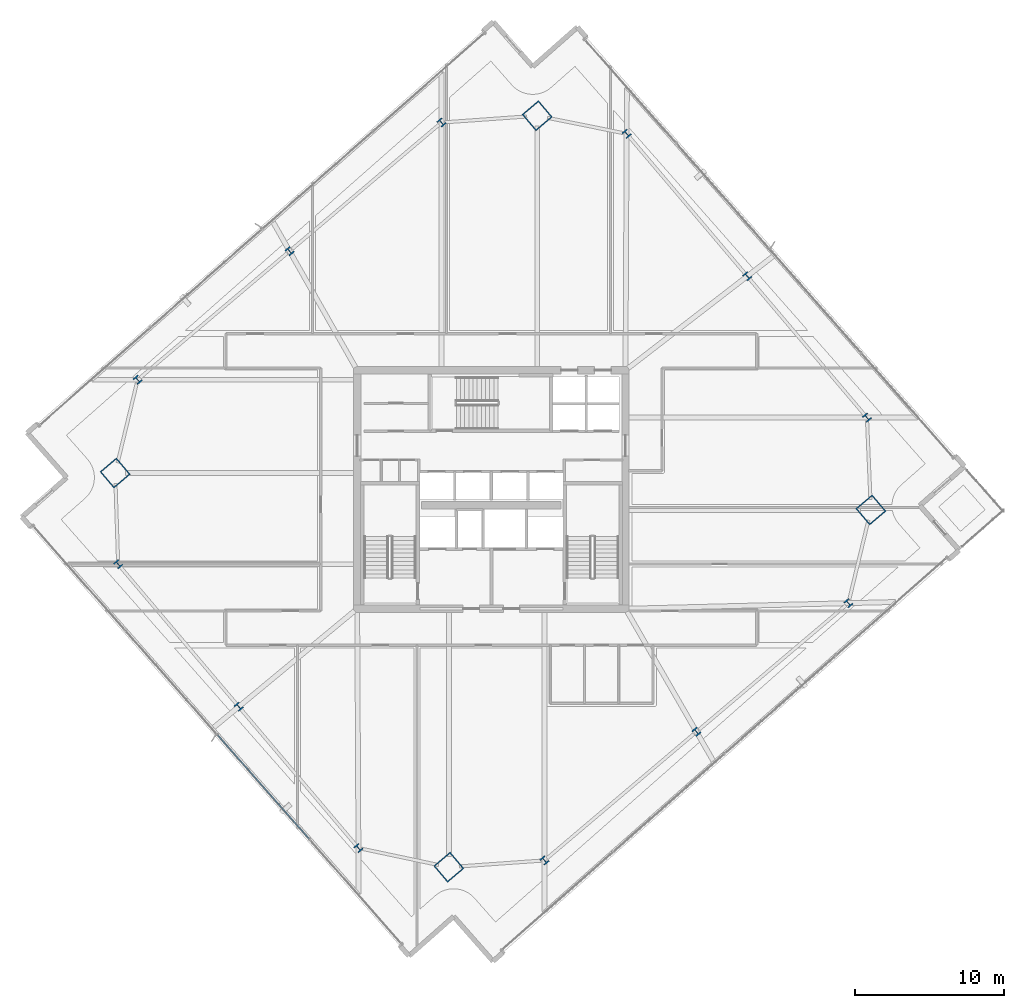
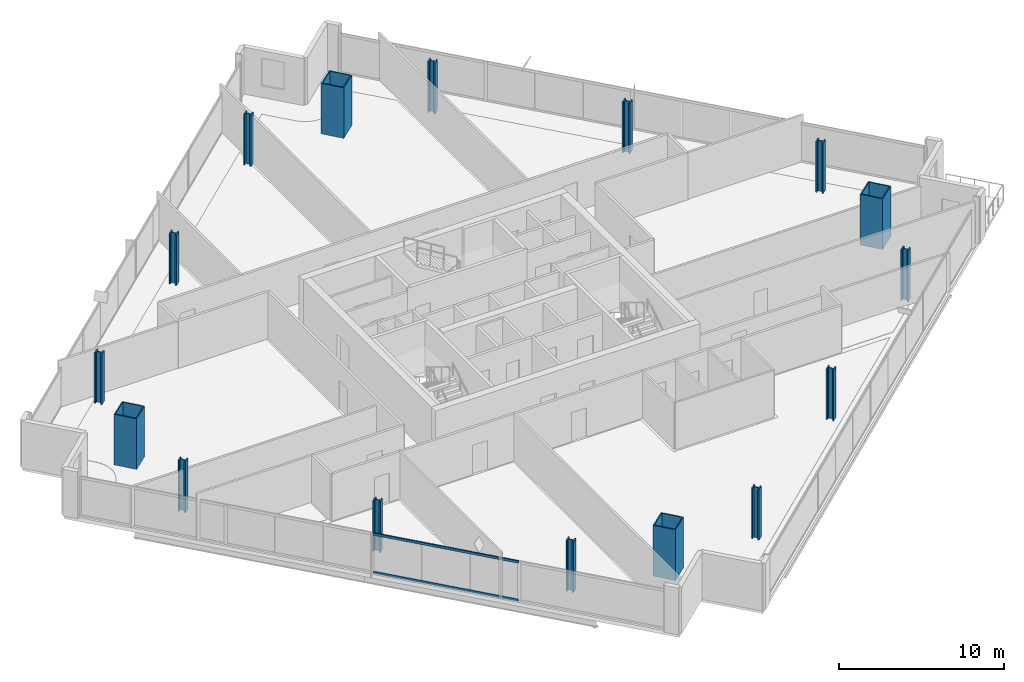
# One storey, part 1 of 34: 16 columns, 2 members, 1 element without a shape of its own.
"""IFC4 building model written with IfcOpenShell, lengths in metres."""

from ifc_helpers import new_model, si_unit, direction, frame, origin, origin_2d, place, context, subcontext, project, spatial, hollow_rectangle, i_section, extrude, material, material_profile, profile_set, type_object, element, aggregate, save


model = new_model("IFC4")

# Units and contexts
model_context = context("Model", 3, precision=1e-05, world=origin(), true_north=direction((0.0, 1.0)))
body_context = subcontext(model_context, "Body", "Model", "MODEL_VIEW")
ifc_project = project(units=[si_unit("LENGTHUNIT", "METRE"), si_unit("AREAUNIT", "SQUARE_METRE"), si_unit("VOLUMEUNIT", "CUBIC_METRE"), si_unit("PLANEANGLEUNIT", "RADIAN"), si_unit("MASSUNIT", "GRAM", prefix="KILO")], contexts=[model_context])

# Site, building, storey
site_placement = place(None, origin())
site = spatial("IfcSite", under=ifc_project, at=site_placement, CompositionType="ELEMENT")
building_placement = place(site_placement, origin())
building = spatial("IfcBuilding", under=site, at=building_placement, Name="Haldenkirk Collegiate Tower", CompositionType="ELEMENT")
storey_placement = place(building_placement, frame((0.0, 0.0, 166.949951171875)))
storey = spatial("IfcBuildingStorey", under=building, at=storey_placement, Name="L41", CompositionType="ELEMENT", Elevation=166.949951171875)

# Columns
ifc_material_1 = material(Name="Steel ASTM A913 Grade 65", Category="steel")
ifc_material_profile_1 = material_profile(ifc_material_1, i_section(OverallWidth=0.431884765625, OverallDepth=0.498046875, WebThickness=0.0556640625, FlangeThickness=0.0888671875, at=origin_2d()), Name="W14X500")
ifc_profile_set_1 = profile_set([ifc_material_profile_1], Name="Steel ASTM A913 Grade 65")
column_type_1 = type_object("IfcColumnType", Name="COL-INT-W14X500", PredefinedType="COLUMN", material=ifc_profile_set_1)
for number, where, z_axis, x_axis, name in (
    (1, (39.568603515625, 1.113525390625, 0.0), (0.0, 0.0, 1.0), (0.763232469783, 0.646123979643, 0.0), "L41 perimeter gravity column PC-S1"),
    (2, (49.762451171875, 9.7431640625, 0.0), (0.0, 0.0, 1.0), (0.763232469783, 0.646123979643, 0.0), "L41 perimeter gravity column PC-S2"),
    (3, (59.956298828125, 18.372802734375, 0.0), (0.0, 0.0, 1.0), (0.763232469783, 0.646123979643, 0.0), "L41 perimeter gravity column PC-S3"),
    (4, (61.199462890625, 30.82421875, 0.0), (0.0, 0.0, 1.0), (0.763232469783, 0.646123979643, 0.0), "L41 perimeter gravity column PC-E1"),
    (5, (53.17138671875, 40.307373046875, 0.0), (0.0, 0.0, 1.0), (0.763232469783, 0.646123979643, 0.0), "L41 perimeter gravity column PC-E2"),
    (6, (45.079833984375, 49.865234375, 0.0), (0.0, 0.0, 1.0), (0.763232469783, 0.646123979643, 0.0), "L41 perimeter gravity column PC-E3"),
    (7, (32.657470703125, 50.619384765625, 0.0), (0.0, 0.0, 1.0), (0.763232469783, 0.646123979643, 0.0), "L41 perimeter gravity column PC-N1"),
    (8, (22.463623046875, 41.98974609375, 0.0), (0.0, 0.0, 1.0), (0.763232469783, 0.646123979643, 0.0), "L41 perimeter gravity column PC-N2"),
    (9, (12.27001953125, 33.360107421875, 0.0), (0.0, 0.0, 1.0), (0.763232469783, 0.646123979643, 0.0), "L41 perimeter gravity column PC-N3"),
    (10, (10.96337890625, 20.9833984375, 0.0), (0.0, 0.0, 1.0), (0.763232469783, 0.646123979643, 0.0), "L41 perimeter gravity column PC-W1"),
    (11, (19.0546875, 11.425537109375, 0.0), (0.0, 0.0, 1.0), (0.763232469783, 0.646123979643, 0.0), "L41 perimeter gravity column PC-W2"),
    (12, (27.0830078125, 1.9423828125, 0.0), (0.0, 0.0, 1.0), (0.763232469783, 0.646123979643, 0.0), "L41 perimeter gravity column PC-W3"),
):
    element("IfcColumn", number, at=place(storey_placement, frame(where, z_axis=z_axis, x_axis=x_axis)), inside=storey, type_object=column_type_1, Name=name, PredefinedType="COLUMN", context=body_context, shape_type="SweptSolid", body=[
        extrude(i_section(OverallWidth=0.431884765625, OverallDepth=0.498046875, WebThickness=0.0556640625, FlangeThickness=0.0888671875, at=origin_2d()), origin(), (0.0, 0.0, 1.0), 3.75),
    ])
ifc_material_2 = material(Name="Steel ASTM A572 Grade 50", Category="steel")
ifc_material_profile_2 = material_profile(ifc_material_2, hollow_rectangle(XDim=1.449951171875, YDim=1.449951171875, WallThickness=0.070068359375, at=origin_2d()), Name="BOX1450X1450X70")
ifc_profile_set_2 = profile_set([ifc_material_profile_2], Name="Steel ASTM A572 Grade 50")
column_type_2 = type_object("IfcColumnType", Name="COL-MEGA-BOX1450X1450X70", PredefinedType="COLUMN", material=ifc_profile_set_2)
for number, where, z_axis, x_axis, name in (
    (13, (33.149169921875, 0.65771484375, 0.0), (0.0, 0.0, 1.0), (0.763232469783, 0.646123979643, 0.0), "L41 corner mega-column MC1"),
    (14, (61.465087890625, 24.62890625, 0.0), (0.0, 0.0, 1.0), (0.763232469783, 0.646123979643, 0.0), "L41 corner mega-column MC2"),
    (15, (39.076904296875, 51.074951171875, 0.0), (0.0, 0.0, 1.0), (0.763232469783, 0.646123979643, 0.0), "L41 corner mega-column MC3"),
    (16, (10.760986328125, 27.103759765625, 0.0), (0.0, 0.0, 1.0), (0.763232469783, 0.646123979643, 0.0), "L41 corner mega-column MC4"),
):
    element("IfcColumn", number, at=place(storey_placement, frame(where, z_axis=z_axis, x_axis=x_axis)), inside=storey, type_object=column_type_2, Name=name, PredefinedType="COLUMN", context=body_context, shape_type="SweptSolid", body=[
        extrude(hollow_rectangle(XDim=1.449951171875, YDim=1.449951171875, WallThickness=0.070068359375, at=origin_2d()), origin(), (0.0, 0.0, 1.0), 3.75),
    ])

# Curtain wall, members
ifc_material_3 = material(Name="Anodised architectural bronze aluminium", Category="aluminium")
curtain_wall_type = type_object("IfcCurtainWallType", Name="CW-SYS1-CONVEX-LOW", PredefinedType="USERDEFINED", material=ifc_material_3)
curtain_wall_placement = place(storey_placement, origin())
curtain_wall = element("IfcCurtainWall", 17, at=curtain_wall_placement, inside=storey, type_object=curtain_wall_type, Name="L41 Lower tower convex bronze-framed unitised curtain wall", ObjectType="UNITISED CURTAIN WALL", PredefinedType="USERDEFINED")
ifc_material_profile_3 = material_profile(ifc_material_3, hollow_rectangle(XDim=0.080078125, YDim=0.179931640625, WallThickness=0.0048828125, at=origin_2d()), Name="CW-TRN-1A")
ifc_profile_set_3 = profile_set([ifc_material_profile_3], Name="Anodised architectural bronze aluminium")
member_type = type_object("IfcMemberType", Name="CW-TRN-1A", PredefinedType="USERDEFINED", material=ifc_profile_set_3)
member_1_placement = place(storey_placement, frame((23.787841796875, 2.547119140625, 0.0400390625), z_axis=(-0.66130427837, 0.750117758362, 0.0), x_axis=(-0.750117758362, -0.66130427837, 0.0)))
member_1 = element("IfcMember", 18, at=member_1_placement, type_object=member_type, Name="CW-1A transom 2.1", ObjectType="TRANSOM", PredefinedType="USERDEFINED", context=body_context, shape_type="SweptSolid", body=[
    extrude(hollow_rectangle(XDim=0.080078125, YDim=0.179931640625, WallThickness=0.0048828125, at=origin_2d()), origin(), (0.0, 0.0, 1.0), 9.28857421875),
])
member_2_placement = place(storey_placement, frame((23.787841796875, 2.547119140625, 2.87109375), z_axis=(-0.66130427837, 0.750117758362, 0.0), x_axis=(-0.750117758362, -0.66130427837, 0.0)))
member_2 = element("IfcMember", 19, at=member_2_placement, type_object=member_type, Name="CW-1A transom 2.2", ObjectType="TRANSOM", PredefinedType="USERDEFINED", context=body_context, shape_type="SweptSolid", body=[
    extrude(hollow_rectangle(XDim=0.080078125, YDim=0.179931640625, WallThickness=0.0048828125, at=origin_2d()), origin(), (0.0, 0.0, 1.0), 9.28857421875),
])
aggregate(curtain_wall, [member_1, member_2])

save(model, "model.ifc")
